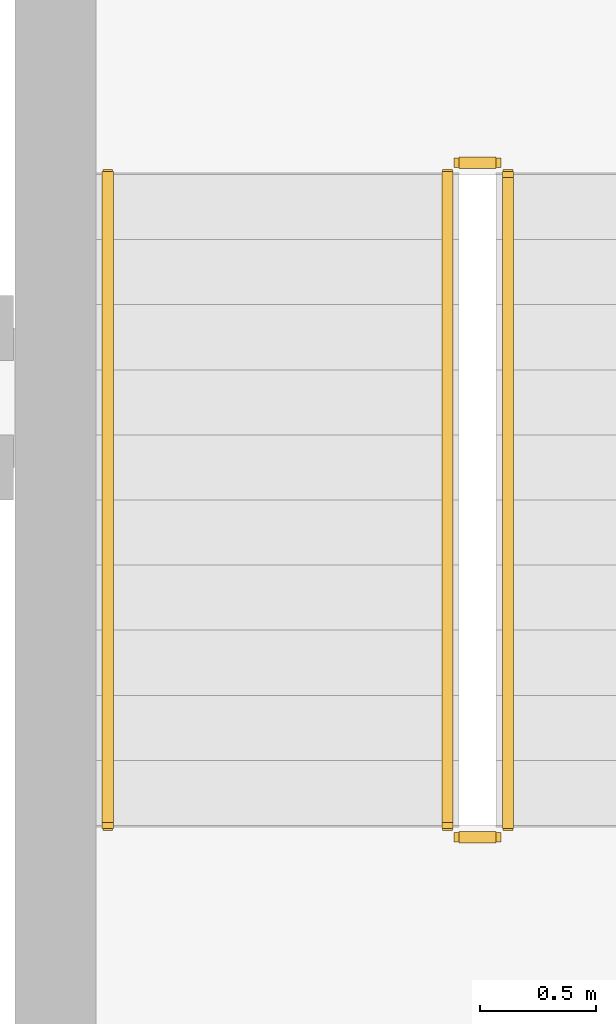
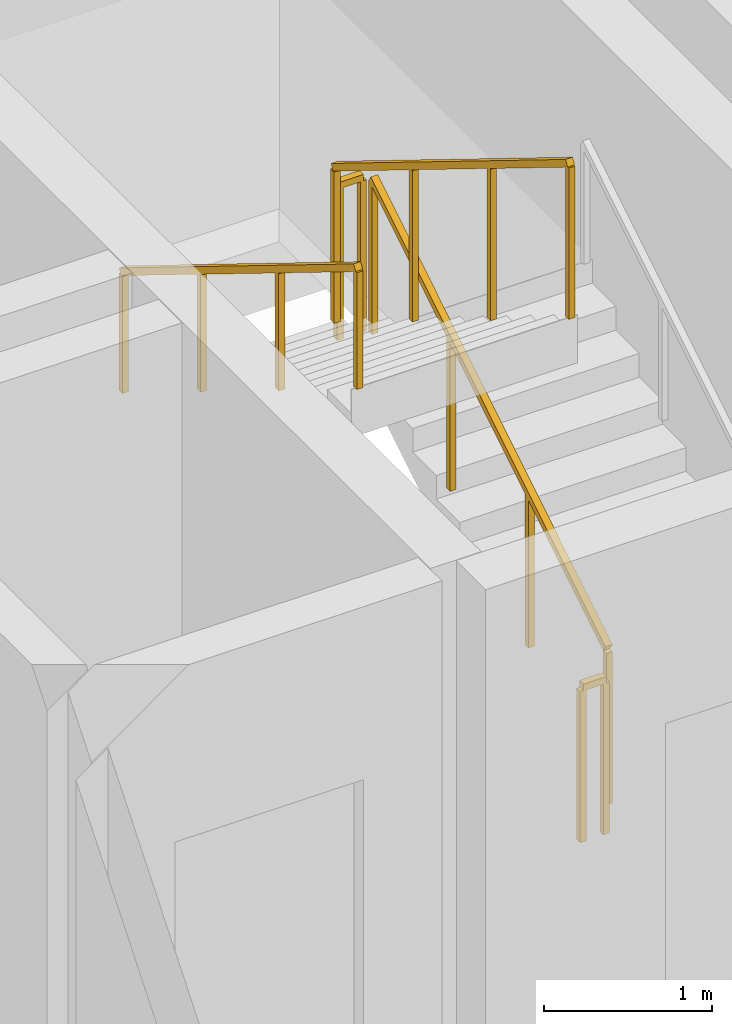
# One storey, part 13 of 14: 5 railings.
"""IFC4 building model written with IfcOpenShell, lengths in metres."""

from ifc_helpers import new_model, si_unit, direction, frame, origin, origin_2d, place, context, subcontext, project, spatial, rectangle, extrude, material, type_object, element, save


model = new_model("IFC4")

# Units and contexts
model_context = context("Model", 3, precision=1e-05, world=origin(), true_north=direction((0.0, 1.0)))
body_context = subcontext(model_context, "Body", "Model", "MODEL_VIEW")
ifc_project = project(units=[si_unit("LENGTHUNIT", "METRE"), si_unit("AREAUNIT", "SQUARE_METRE"), si_unit("VOLUMEUNIT", "CUBIC_METRE"), si_unit("PLANEANGLEUNIT", "RADIAN"), si_unit("MASSUNIT", "GRAM", prefix="KILO")], contexts=[model_context])

# Site, building, storey
site_placement = place(None, origin())
site = spatial("IfcSite", under=ifc_project, at=site_placement, CompositionType="ELEMENT")
building_placement = place(site_placement, origin())
building = spatial("IfcBuilding", under=site, at=building_placement, Name="Kaelvorn Grand Hotel", CompositionType="ELEMENT")
storey_placement = place(building_placement, frame((0.0, 0.0, 205.35009765625)))
storey = spatial("IfcBuildingStorey", under=building, at=storey_placement, Name="L50", CompositionType="ELEMENT", Elevation=205.35009765625)

# Railings
ifc_material = material(Name="Stainless Steel", Category="steel")
railing_type_1 = type_object("IfcRailingType", Name="RL-HANDRAIL-900", PredefinedType="HANDRAIL", material=ifc_material)
railing_1_placement = place(storey_placement, frame((63.3701171875, 44.56005859375, 2.072509765625)))
element("IfcRailing", 1, at=railing_1_placement, inside=storey, type_object=railing_type_1, Name="L50 ST3 stair handrail 2", PredefinedType="HANDRAIL", context=body_context, shape_type="SweptSolid", body=[
    extrude(rectangle(XDim=0.048095703125, YDim=0.048095703125, at=origin_2d()), frame((0.0, 0.0, 0.8759765625), z_axis=(0.0, -0.851089632645, 0.525020415988), x_axis=(1.0, 0.0, 0.0)), (0.0, 0.0, 1.0), 3.2900390625),
    extrude(rectangle(XDim=0.0419921875, YDim=0.0419921875, at=origin_2d()), origin(), (0.0, 0.0, 1.0), 0.851806640625),
    extrude(rectangle(XDim=0.0419921875, YDim=0.0419921875, at=origin_2d()), frame((0.0, -0.933349609375, 0.57568359375)), (0.0, 0.0, 1.0), 0.851806640625),
    extrude(rectangle(XDim=0.0419921875, YDim=0.0419921875, at=origin_2d()), frame((0.0, -1.86669921875, 1.151611328125)), (0.0, 0.0, 1.0), 0.851806640625),
    extrude(rectangle(XDim=0.0419921875, YDim=0.0419921875, at=origin_2d()), frame((0.0, -2.800048828125, 1.727294921875)), (0.0, 0.0, 1.0), 0.851806640625),
])
railing_type_2 = type_object("IfcRailingType", Name="RL-STAIR-GUARD-1150", PredefinedType="BALUSTRADE", material=ifc_material)
railing_2_placement = place(storey_placement, frame((65.090087890625, 41.760009765625, 0.172607421875)))
element("IfcRailing", 2, at=railing_2_placement, inside=storey, type_object=railing_type_2, Name="L50 ST3 stair guard 1", PredefinedType="BALUSTRADE", context=body_context, shape_type="SweptSolid", body=[
    extrude(rectangle(XDim=0.048095703125, YDim=0.048095703125, at=origin_2d()), frame((0.0, 0.0, 1.1259765625), z_axis=(0.0, 0.851089632645, 0.525020415988), x_axis=(-1.0, 0.0, 0.0)), (0.0, 0.0, 1.0), 3.2900390625),
    extrude(rectangle(XDim=0.0419921875, YDim=0.0419921875, at=origin_2d()), origin(), (0.0, 0.0, 1.0), 1.101806640625),
    extrude(rectangle(XDim=0.0419921875, YDim=0.0419921875, at=origin_2d()), frame((0.0, 0.933349609375, 0.57568359375)), (0.0, 0.0, 1.0), 1.101806640625),
    extrude(rectangle(XDim=0.0419921875, YDim=0.0419921875, at=origin_2d()), frame((0.0, 1.86669921875, 1.151611328125)), (0.0, 0.0, 1.0), 1.101806640625),
    extrude(rectangle(XDim=0.0419921875, YDim=0.0419921875, at=origin_2d()), frame((0.0, 2.800048828125, 1.727294921875)), (0.0, 0.0, 1.0), 1.101806640625),
])
railing_3_placement = place(storey_placement, frame((65.0400390625, 44.610107421875, 1.89990234375)))
element("IfcRailing", 3, at=railing_3_placement, inside=storey, type_object=railing_type_2, Name="L50 ST3 stair guard 2", PredefinedType="BALUSTRADE", context=body_context, shape_type="SweptSolid", body=[
    extrude(rectangle(XDim=0.048095703125, YDim=0.048095703125, at=origin_2d()), frame((0.0, 0.0, 1.1259765625), z_axis=(-1.0, 0.0, 0.0), x_axis=(0.0, -1.0, 0.0)), (0.0, 0.0, 1.0), 0.16015625),
    extrude(rectangle(XDim=0.0419921875, YDim=0.0419921875, at=origin_2d()), origin(), (0.0, 0.0, 1.0), 1.101806640625),
    extrude(rectangle(XDim=0.0419921875, YDim=0.0419921875, at=origin_2d()), frame((-0.16015625, 0.0, 0.0)), (0.0, 0.0, 1.0), 1.101806640625),
])
railing_4_placement = place(storey_placement, frame((64.830078125, 44.56005859375, 2.072509765625)))
element("IfcRailing", 4, at=railing_4_placement, inside=storey, type_object=railing_type_2, Name="L50 ST3 stair guard 3", PredefinedType="BALUSTRADE", context=body_context, shape_type="SweptSolid", body=[
    extrude(rectangle(XDim=0.048095703125, YDim=0.048095703125, at=origin_2d()), frame((0.0, 0.0, 1.1259765625), z_axis=(0.0, -0.851089632645, 0.525020415988), x_axis=(1.0, 0.0, 0.0)), (0.0, 0.0, 1.0), 3.2900390625),
    extrude(rectangle(XDim=0.0419921875, YDim=0.0419921875, at=origin_2d()), origin(), (0.0, 0.0, 1.0), 1.101806640625),
    extrude(rectangle(XDim=0.0419921875, YDim=0.0419921875, at=origin_2d()), frame((0.0, -0.933349609375, 0.57568359375)), (0.0, 0.0, 1.0), 1.101806640625),
    extrude(rectangle(XDim=0.0419921875, YDim=0.0419921875, at=origin_2d()), frame((0.0, -1.86669921875, 1.151611328125)), (0.0, 0.0, 1.0), 1.101806640625),
    extrude(rectangle(XDim=0.0419921875, YDim=0.0419921875, at=origin_2d()), frame((0.0, -2.800048828125, 1.727294921875)), (0.0, 0.0, 1.0), 1.101806640625),
])
railing_5_placement = place(storey_placement, frame((65.0400390625, 41.7099609375, 0.0)))
element("IfcRailing", 5, at=railing_5_placement, inside=storey, type_object=railing_type_2, Name="L50 ST3 stair guard 4", PredefinedType="BALUSTRADE", context=body_context, shape_type="SweptSolid", body=[
    extrude(rectangle(XDim=0.048095703125, YDim=0.048095703125, at=origin_2d()), frame((0.0, 0.0, 1.1259765625), z_axis=(-1.0, 0.0, 0.0), x_axis=(0.0, -1.0, 0.0)), (0.0, 0.0, 1.0), 0.16015625),
    extrude(rectangle(XDim=0.0419921875, YDim=0.0419921875, at=origin_2d()), origin(), (0.0, 0.0, 1.0), 1.101806640625),
    extrude(rectangle(XDim=0.0419921875, YDim=0.0419921875, at=origin_2d()), frame((-0.16015625, 0.0, 0.0)), (0.0, 0.0, 1.0), 1.101806640625),
])

save(model, "model.ifc")
